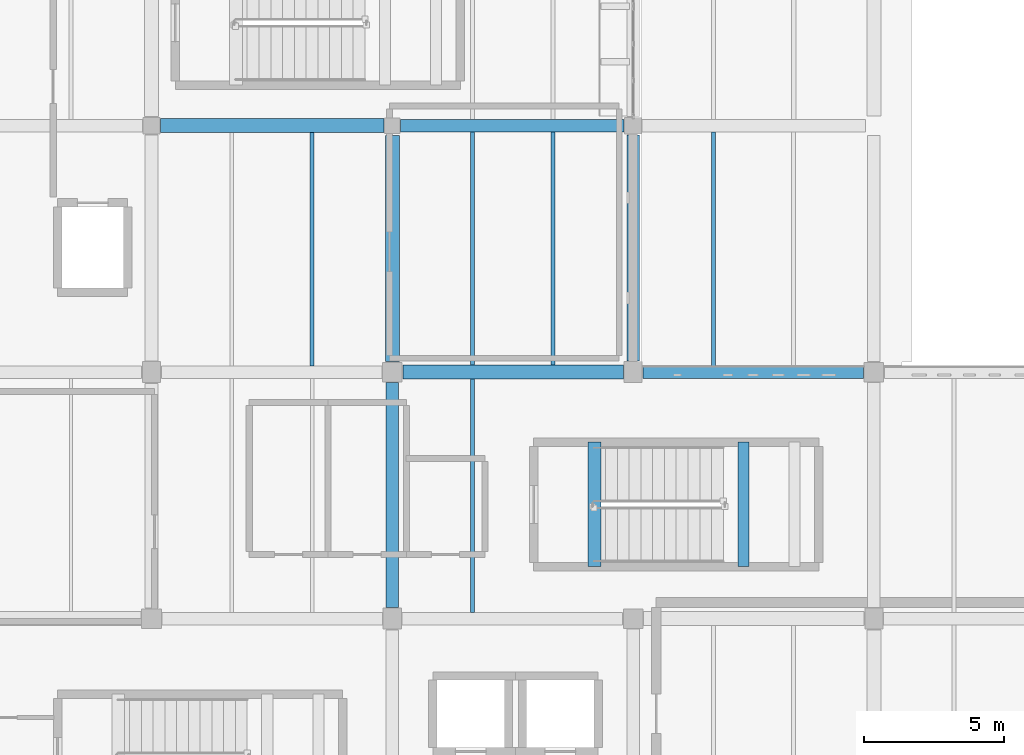
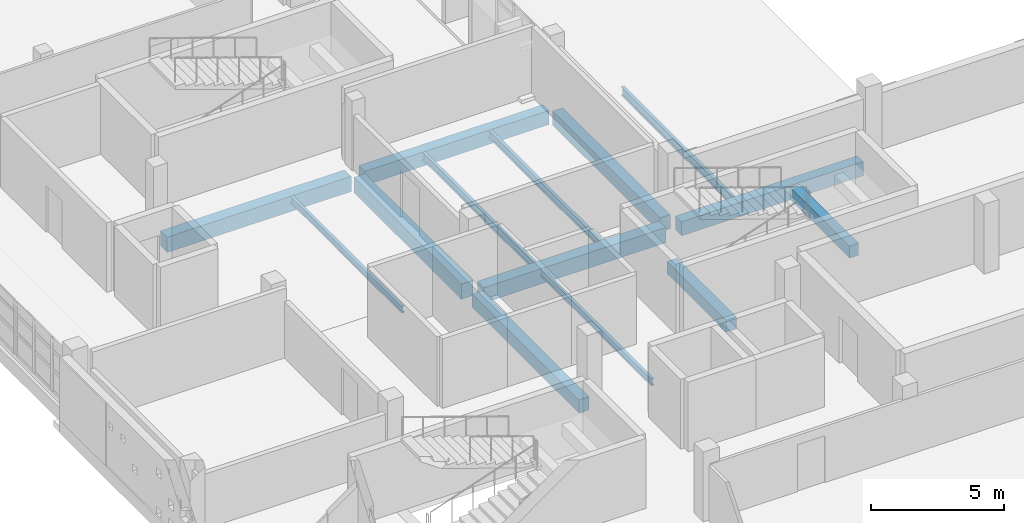
# One storey, part 10 of 55: 14 beams.
"""IFC4 building model written with IfcOpenShell, lengths in metres."""

from ifc_helpers import new_model, si_unit, direction, frame, origin, origin_2d, place, context, subcontext, project, spatial, rectangle, i_section, extrude, material, material_profile, profile_set, type_object, element, save


model = new_model("IFC4")

# Units and contexts
model_context = context("Model", 3, precision=1e-05, world=origin(), true_north=direction((0.0, 1.0)))
body_context = subcontext(model_context, "Body", "Model", "MODEL_VIEW")
ifc_project = project(units=[si_unit("LENGTHUNIT", "METRE"), si_unit("AREAUNIT", "SQUARE_METRE"), si_unit("VOLUMEUNIT", "CUBIC_METRE"), si_unit("PLANEANGLEUNIT", "RADIAN"), si_unit("MASSUNIT", "GRAM", prefix="KILO")], contexts=[model_context])

# Site, building, storey
site_placement = place(None, origin())
site = spatial("IfcSite", under=ifc_project, at=site_placement, CompositionType="ELEMENT")
building_placement = place(site_placement, origin())
building = spatial("IfcBuilding", under=site, at=building_placement, Name="Varnakota Cinema and Media Centre", CompositionType="ELEMENT")
storey_placement = place(building_placement, frame((0.0, 0.0, 15.60009765625)))
storey = spatial("IfcBuildingStorey", under=building, at=storey_placement, Name="L04", CompositionType="ELEMENT", Elevation=15.60009765625)

# Beams
ifc_material_1 = material(Name="Concrete M35", Category="concrete")
ifc_material_profile_1 = material_profile(ifc_material_1, rectangle(XDim=0.39990234375, YDim=0.550048828125, at=origin_2d()), Name="RCB 400x550")
ifc_profile_set_1 = profile_set([ifc_material_profile_1], Name="Concrete M35")
beam_type_1 = type_object("IfcBeamType", Name="BM-RC-400x550", PredefinedType="BEAM", material=ifc_profile_set_1)
beam_1_placement = place(storey_placement, frame((29.7373046875, 28.25, 1.25), z_axis=(0.0, 1.0, 0.0), x_axis=(-1.0, 0.0, 0.0)))
element("IfcBeam", 1, at=beam_1_placement, inside=storey, type_object=beam_type_1, Name="L04 ST-02 landing support beam 1", PredefinedType="BEAM", context=body_context, shape_type="SweptSolid", body=[
    extrude(rectangle(XDim=0.39990234375, YDim=0.550048828125, at=origin_2d()), origin(), (0.0, 0.0, 1.0), 4.449951171875),
])
ifc_material_2 = material(Name="Concrete M40", Category="concrete")
ifc_material_profile_2 = material_profile(ifc_material_2, rectangle(XDim=0.449951171875, YDim=0.550048828125, at=origin_2d()), Name="RCB 450x550")
ifc_profile_set_2 = profile_set([ifc_material_profile_2], Name="Concrete M40")
beam_type_2 = type_object("IfcBeamType", Name="BM-RC-450x550", PredefinedType="BEAM", material=ifc_profile_set_2)
beam_2_placement = place(storey_placement, frame((24.419921875, 28.25, -0.275146484375), z_axis=(0.0, 1.0, 0.0), x_axis=(-1.0, 0.0, 0.0)))
element("IfcBeam", 2, at=beam_2_placement, inside=storey, type_object=beam_type_2, Name="L04 ST-02 stair arrival trimmer beam", PredefinedType="BEAM", context=body_context, shape_type="SweptSolid", body=[
    extrude(rectangle(XDim=0.449951171875, YDim=0.550048828125, at=origin_2d()), origin(), (0.0, 0.0, 1.0), 4.449951171875),
])
ifc_material_3 = material(Name="Concrete M35", Category="concrete")
ifc_material_profile_3 = material_profile(ifc_material_3, rectangle(XDim=0.449951171875, YDim=0.60009765625, at=origin_2d()), Name="RCB 450x600")
ifc_profile_set_3 = profile_set([ifc_material_profile_3], Name="Concrete M35")
beam_type_3 = type_object("IfcBeamType", Name="BM-RC-450x600", PredefinedType="BEAM", material=ifc_profile_set_3)
beam_3_placement = place(storey_placement, frame((17.199951171875, 26.800048828125, -0.550048828125), z_axis=(0.0, 1.0, 0.0), x_axis=(-1.0, 0.0, 0.0)))
element("IfcBeam", 3, at=beam_3_placement, inside=storey, type_object=beam_type_3, Name="L04 girder C/4-5", PredefinedType="BEAM", context=body_context, shape_type="SweptSolid", body=[
    extrude(rectangle(XDim=0.449951171875, YDim=0.60009765625, at=origin_2d()), origin(), (0.0, 0.0, 1.0), 8.02490234375),
])
ifc_material_4 = material(Name="Concrete M35", Category="concrete")
ifc_material_profile_4 = material_profile(ifc_material_4, rectangle(XDim=0.449951171875, YDim=0.64990234375, at=origin_2d()), Name="RCB 450x650")
ifc_profile_set_4 = profile_set([ifc_material_profile_4], Name="Concrete M35")
beam_type_4 = type_object("IfcBeamType", Name="BM-RC-450x650", PredefinedType="BEAM", material=ifc_profile_set_4)
beam_4_placement = place(storey_placement, frame((26.14990234375, 35.199951171875, -0.5751953125), z_axis=(1.0, 0.0, 0.0), x_axis=(0.0, 1.0, 0.0)))
element("IfcBeam", 4, at=beam_4_placement, inside=storey, type_object=beam_type_4, Name="L04 girder D-E/5", PredefinedType="BEAM", context=body_context, shape_type="SweptSolid", body=[
    extrude(rectangle(XDim=0.449951171875, YDim=0.64990234375, at=origin_2d()), origin(), (0.0, 0.0, 1.0), 7.875),
])
beam_5_placement = place(storey_placement, frame((17.5, 44.0, -0.5751953125), z_axis=(1.0, 0.0, 0.0), x_axis=(0.0, 1.0, 0.0)))
element("IfcBeam", 5, at=beam_5_placement, inside=storey, type_object=beam_type_4, Name="L04 girder C-D/6", PredefinedType="BEAM", context=body_context, shape_type="SweptSolid", body=[
    extrude(rectangle(XDim=0.449951171875, YDim=0.64990234375, at=origin_2d()), origin(), (0.0, 0.0, 1.0), 7.97509765625),
])
beam_6_placement = place(storey_placement, frame((25.800048828125, 35.60009765625, -0.5751953125), z_axis=(0.0, 1.0, 0.0), x_axis=(-1.0, 0.0, 0.0)))
element("IfcBeam", 6, at=beam_6_placement, inside=storey, type_object=beam_type_4, Name="L04 girder D/5-6", PredefinedType="BEAM", context=body_context, shape_type="SweptSolid", body=[
    extrude(rectangle(XDim=0.449951171875, YDim=0.64990234375, at=origin_2d()), origin(), (0.0, 0.0, 1.0), 8.074951171875),
])
ifc_material_5 = material(Name="Concrete M35", Category="concrete")
ifc_material_profile_5 = material_profile(ifc_material_5, rectangle(XDim=0.5, YDim=0.699951171875, at=origin_2d()), Name="RCB 500x700")
ifc_profile_set_5 = profile_set([ifc_material_profile_5], Name="Concrete M35")
beam_type_5 = type_object("IfcBeamType", Name="BM-RC-500x700", PredefinedType="BEAM", material=ifc_profile_set_5)
beam_7_placement = place(storey_placement, frame((17.574951171875, 35.199951171875, -0.60009765625), z_axis=(1.0, 0.0, 0.0), x_axis=(0.0, 1.0, 0.0)))
element("IfcBeam", 7, at=beam_7_placement, inside=storey, type_object=beam_type_5, Name="L04 girder C-D/5", PredefinedType="BEAM", context=body_context, shape_type="SweptSolid", body=[
    extrude(rectangle(XDim=0.5, YDim=0.699951171875, at=origin_2d()), origin(), (0.0, 0.0, 1.0), 7.875),
])
beam_8_placement = place(storey_placement, frame((8.925048828125, 44.0, -0.60009765625), z_axis=(1.0, 0.0, 0.0), x_axis=(0.0, 1.0, 0.0)))
element("IfcBeam", 8, at=beam_8_placement, inside=storey, type_object=beam_type_5, Name="L04 girder B-C/6", PredefinedType="BEAM", context=body_context, shape_type="SweptSolid", body=[
    extrude(rectangle(XDim=0.5, YDim=0.699951171875, at=origin_2d()), origin(), (0.0, 0.0, 1.0), 7.974853515625),
])
beam_9_placement = place(storey_placement, frame((17.199951171875, 35.574951171875, -0.60009765625), z_axis=(0.0, 1.0, 0.0), x_axis=(-1.0, 0.0, 0.0)))
element("IfcBeam", 9, at=beam_9_placement, inside=storey, type_object=beam_type_5, Name="L04 girder C/5-6", PredefinedType="BEAM", context=body_context, shape_type="SweptSolid", body=[
    extrude(rectangle(XDim=0.5, YDim=0.699951171875, at=origin_2d()), origin(), (0.0, 0.0, 1.0), 8.074951171875),
])
ifc_material_6 = material(Name="Structural steel Grade 350 (E350)", Category="steel")
ifc_material_profile_6 = material_profile(ifc_material_6, i_section(OverallWidth=0.139892578125, OverallDepth=0.300048828125, WebThickness=0.0078125, FlangeThickness=0.01318359375, FilletRadius=0.013916015625, at=origin_2d()), Name="ISMB 300")
ifc_profile_set_6 = profile_set([ifc_material_profile_6], Name="Structural steel Grade 350 (E350)")
beam_type_6 = type_object("IfcBeamType", Name="BM-ST-ISMB300", PredefinedType="JOIST", material=ifc_profile_set_6)
for number, where, z_axis, x_axis, name in (
    (10, (14.333251953125, 35.425048828125, -0.400146484375), (0.0, 1.0, 0.0), (-1.0, 0.0, 0.0), "L04 steel joist B-C/5-6 #2"),
    (11, (20.066650390625, 26.625, -0.400146484375), (0.0, 1.0, 0.0), (-1.0, 0.0, 0.0), "L04 steel joist C-D/4-5 #1"),
):
    element("IfcBeam", number, at=place(storey_placement, frame(where, z_axis=z_axis, x_axis=x_axis)), inside=storey, type_object=beam_type_6, Name=name, PredefinedType="JOIST", context=body_context, shape_type="SweptSolid", body=[
        extrude(i_section(OverallWidth=0.139892578125, OverallDepth=0.300048828125, WebThickness=0.0078125, FlangeThickness=0.01318359375, FilletRadius=0.013916015625, at=origin_2d()), origin(), (0.0, 0.0, 1.0), 8.324951171875),
    ])
ifc_material_7 = material(Name="Structural steel Grade 350 (E350)", Category="steel")
ifc_material_profile_7 = material_profile(ifc_material_7, i_section(OverallWidth=0.139892578125, OverallDepth=0.35009765625, WebThickness=0.008056640625, FlangeThickness=0.01416015625, FilletRadius=0.013916015625, at=origin_2d()), Name="ISMB 350")
ifc_profile_set_7 = profile_set([ifc_material_profile_7], Name="Structural steel Grade 350 (E350)")
beam_type_7 = type_object("IfcBeamType", Name="BM-ST-ISMB350", PredefinedType="JOIST", material=ifc_profile_set_7)
for number, where, z_axis, x_axis, name in (
    (12, (20.066650390625, 35.449951171875, -0.425048828125), (0.0, 1.0, 0.0), (-1.0, 0.0, 0.0), "L04 steel joist C-D/5-6 #1"),
    (13, (22.933349609375, 35.449951171875, -0.425048828125), (0.0, 1.0, 0.0), (-1.0, 0.0, 0.0), "L04 steel joist C-D/5-6 #2"),
):
    element("IfcBeam", number, at=place(storey_placement, frame(where, z_axis=z_axis, x_axis=x_axis)), inside=storey, type_object=beam_type_7, Name=name, PredefinedType="JOIST", context=body_context, shape_type="SweptSolid", body=[
        extrude(i_section(OverallWidth=0.139892578125, OverallDepth=0.35009765625, WebThickness=0.008056640625, FlangeThickness=0.01416015625, FilletRadius=0.013916015625, at=origin_2d()), origin(), (0.0, 0.0, 1.0), 8.324951171875),
    ])
ifc_material_8 = material(Name="Structural steel Grade 350 (E350)", Category="steel")
ifc_material_profile_8 = material_profile(ifc_material_8, i_section(OverallWidth=0.139892578125, OverallDepth=0.39990234375, WebThickness=0.0087890625, FlangeThickness=0.01611328125, FilletRadius=0.013916015625, at=origin_2d()), Name="ISMB 400")
ifc_profile_set_8 = profile_set([ifc_material_profile_8], Name="Structural steel Grade 350 (E350)")
beam_type_8 = type_object("IfcBeamType", Name="BM-ST-ISMB400", PredefinedType="JOIST", material=ifc_profile_set_8)
beam_10_placement = place(storey_placement, frame((28.666748046875, 35.425048828125, -0.4501953125), z_axis=(0.0, 1.0, 0.0), x_axis=(-1.0, 0.0, 0.0)))
element("IfcBeam", 14, at=beam_10_placement, inside=storey, type_object=beam_type_8, Name="L04 steel joist D-E/5-6 #1", PredefinedType="JOIST", context=body_context, shape_type="SweptSolid", body=[
    extrude(i_section(OverallWidth=0.139892578125, OverallDepth=0.39990234375, WebThickness=0.0087890625, FlangeThickness=0.01611328125, FilletRadius=0.013916015625, at=origin_2d()), origin(), (0.0, 0.0, 1.0), 8.349853515625),
])

save(model, "model.ifc")
